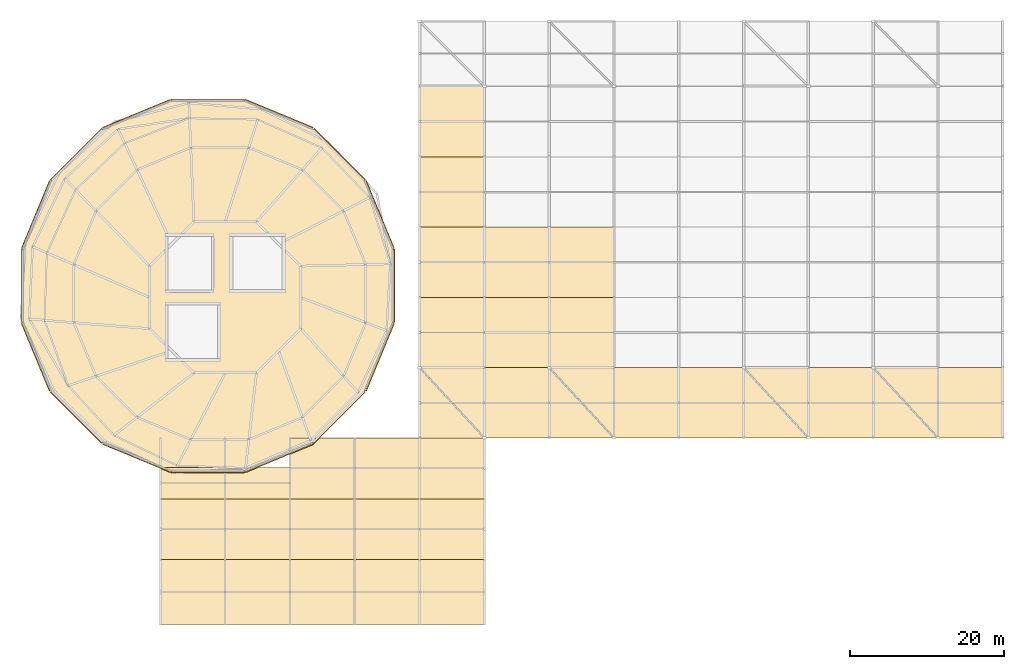
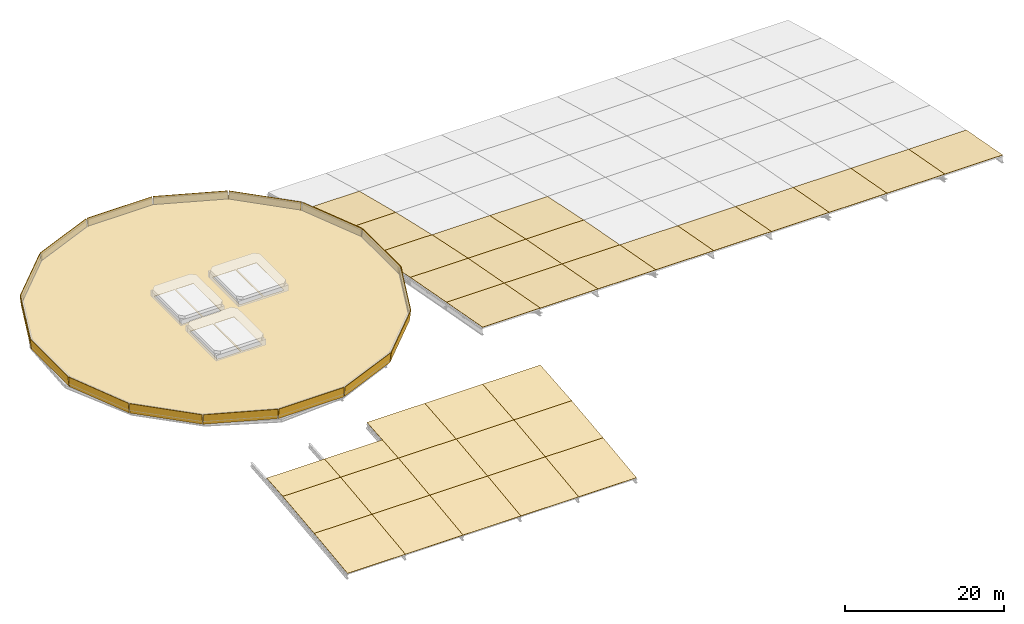
# One storey, part 11 of 12: 49 coverings, 15 elements without a shape of their own.
"""IFC4 building model written with IfcOpenShell, lengths in metres."""

from ifc_helpers import new_model, si_unit, derived_unit, direction, frame, origin, place, context, subcontext, project, spatial, polyline, outline, extrude, material, layer, layer_set, type_object, element, aggregate, save


model = new_model("IFC4")

# Units and contexts
model_context = context("Model", 3, precision=1e-05, world=origin(), true_north=direction((0.0, 1.0)))
body_context = subcontext(model_context, "Body", "Model", "MODEL_VIEW")
ifc_project = project(units=[si_unit("LENGTHUNIT", "METRE"), si_unit("AREAUNIT", "SQUARE_METRE"), si_unit("VOLUMEUNIT", "CUBIC_METRE"), si_unit("PLANEANGLEUNIT", "RADIAN"), si_unit("MASSUNIT", "GRAM", prefix="KILO"), derived_unit("THERMALTRANSMITTANCEUNIT", [(si_unit("MASSUNIT", "GRAM", prefix="KILO"), 1), (si_unit("TIMEUNIT", "SECOND"), -3), (si_unit("THERMODYNAMICTEMPERATUREUNIT", "KELVIN"), -1)])], contexts=[model_context])

# Site, building, storey
site_placement = place(None, origin())
site = spatial("IfcSite", under=ifc_project, at=site_placement, CompositionType="ELEMENT")
building_placement = place(site_placement, origin())
building = spatial("IfcBuilding", under=site, at=building_placement, Name="Makaiwela Harbour Ferry Terminal", CompositionType="ELEMENT")
storey_placement = place(building_placement, frame((0.0, 0.0, 25.5)))
storey = spatial("IfcBuildingStorey", under=building, at=storey_placement, Name="ROOF", CompositionType="ELEMENT", Elevation=25.5)

# Roof, covering
ifc_material_1 = material(Name="Standing-seam marine zinc roofing", Category="aluminium")
ifc_layer_1 = layer(ifc_material_1, 0.219970703125)
ifc_layer_set_1 = layer_set([ifc_layer_1], Name="Standing-seam marine zinc roofing")
roof_type_1 = type_object("IfcRoofType", Name="RF-FLAT-01", PredefinedType="FLAT_ROOF", material=ifc_layer_set_1)
roof_1_placement = place(storey_placement, origin())
roof_1 = element("IfcRoof", 1, at=roof_1_placement, inside=storey, type_object=roof_type_1, Name="Roof Assembly RF-01", PredefinedType="FLAT_ROOF")
ifc_layer_2 = layer(ifc_material_1, 0.044921875)
ifc_layer_set_2 = layer_set([ifc_layer_2], Name="Standing-seam marine zinc roofing")
covering_type_1 = type_object("IfcCoveringType", Name="COV-ROOF-ZINC", PredefinedType="ROOFING", material=ifc_layer_set_2)
covering_1_placement = place(storey_placement, origin())
covering_1 = element("IfcCovering", 2, at=covering_1_placement, type_object=covering_type_1, Name="Architectural Covering RFG-01", PredefinedType="ROOFING", context=body_context, shape_type="SweptSolid", body=[
    extrude(outline(polyline([(59.5302734375, 73.8701171875), (55.87939453125, 82.68359375), (49.1337890625, 89.429443359375), (40.320068359375, 93.080078125), (30.780029296875, 93.080078125), (21.96630859375, 89.429443359375), (15.220703125, 82.68359375), (11.56982421875, 73.8701171875), (11.56982421875, 64.330078125), (15.220703125, 55.516357421875), (21.96630859375, 48.7705078125), (30.780029296875, 45.119873046875), (40.320068359375, 45.119873046875), (49.1337890625, 48.7705078125), (55.87939453125, 55.516357421875), (59.5302734375, 64.330078125), (59.5302734375, 73.8701171875)]), holes=[polyline([(38.794921875, 68.594970703125), (38.794921875, 75.5048828125), (42.14208984375, 75.5048828125), (42.14208984375, 68.594970703125), (38.794921875, 68.594970703125)]), polyline([(42.35205078125, 68.594970703125), (42.35205078125, 75.5048828125), (45.205078125, 75.5048828125), (45.205078125, 68.594970703125), (42.35205078125, 68.594970703125)]), polyline([(30.3701171875, 59.669921875), (30.3701171875, 66.6298828125), (33.741943359375, 66.6298828125), (33.741943359375, 59.669921875), (30.3701171875, 59.669921875)]), polyline([(33.951904296875, 59.669921875), (33.951904296875, 66.6298828125), (36.830078125, 66.6298828125), (36.830078125, 59.669921875), (33.951904296875, 59.669921875)]), polyline([(30.35009765625, 68.550048828125), (30.35009765625, 75.550048828125), (33.31005859375, 75.550048828125), (33.31005859375, 68.550048828125), (30.35009765625, 68.550048828125)]), polyline([(33.52001953125, 68.550048828125), (33.52001953125, 75.550048828125), (36.050048828125, 75.550048828125), (36.050048828125, 68.550048828125), (33.52001953125, 68.550048828125)])]), origin(), (0.0, 0.0, 1.0), 0.044921875),
])
aggregate(roof_1, [covering_1])

# Roof, coverings
ifc_layer_3 = layer(ifc_material_1, 0.199951171875)
ifc_layer_set_3 = layer_set([ifc_layer_3], Name="Standing-seam marine zinc roofing")
roof_type_2 = type_object("IfcRoofType", Name="RF-BARREL-01", PredefinedType="BARREL_ROOF", material=ifc_layer_set_3)
roof_2_placement = place(storey_placement, origin())
roof_2 = element("IfcRoof", 3, at=roof_2_placement, inside=storey, type_object=roof_type_2, Name="Departure Hall Barrel Vault Bay 1", PredefinedType="BARREL_ROOF")
covering_2_placement = place(storey_placement, frame((63.0, 85.800048828125, -7.614990234375), z_axis=(0.0, 0.244527039471, 0.969642473785), x_axis=(1.0, 0.0, 0.0)))
covering_2 = element("IfcCovering", 4, at=covering_2_placement, type_object=covering_type_1, Name="Architectural Covering RFG-01", PredefinedType="ROOFING", context=body_context, shape_type="SweptSolid", body=[
    extrude(outline(polyline([(0.0, 0.0), (8.39990234375, 0.0), (8.39990234375, 9.48798286028475), (0.0, 9.48798286028475), (0.0, 0.0)])), origin(), (0.0, 0.0, -1.0), 0.044921875),
])
covering_3_placement = place(storey_placement, frame((63.0, 76.699951171875, -5.534912109375), z_axis=(0.0, 0.222830482699, 0.974857207995), x_axis=(1.0, 0.0, 0.0)))
covering_3 = element("IfcCovering", 5, at=covering_3_placement, type_object=covering_type_1, Name="Architectural Covering RFG-01", PredefinedType="ROOFING", context=body_context, shape_type="SweptSolid", body=[
    extrude(outline(polyline([(0.0, 0.0), (8.39990234375, 0.0), (8.39990234375, 9.334800606300611), (0.0, 9.334800606300611), (0.0, 0.0)])), origin(), (0.0, 0.0, -1.0), 0.044921875),
])
covering_4_placement = place(storey_placement, frame((63.0, 67.60009765625, -3.635009765625), z_axis=(0.0, 0.20437688656, 0.978892276116), x_axis=(1.0, 0.0, 0.0)))
covering_4 = element("IfcCovering", 6, at=covering_4_placement, type_object=covering_type_1, Name="Architectural Covering RFG-01", PredefinedType="ROOFING", context=body_context, shape_type="SweptSolid", body=[
    extrude(outline(polyline([(0.0, 0.0), (8.39990234375, 0.0), (8.39990234375, 9.296072446018234), (0.0, 9.296072446018234), (0.0, 0.0)])), origin(), (0.0, 0.0, -1.0), 0.044921875),
])
covering_5_placement = place(storey_placement, frame((63.0, 58.5, -1.93505859375), z_axis=(0.0, 0.183629289337, 0.982995566672), x_axis=(1.0, 0.0, 0.0)))
covering_5 = element("IfcCovering", 7, at=covering_5_placement, type_object=covering_type_1, Name="Architectural Covering RFG-01", PredefinedType="ROOFING", context=body_context, shape_type="SweptSolid", body=[
    extrude(outline(polyline([(0.0, 0.0), (8.39990234375, 0.0), (8.39990234375, 9.257516477978633), (0.0, 9.257516477978633), (0.0, 0.0)])), origin(), (0.0, 0.0, -1.0), 0.044921875),
])
covering_6_placement = place(storey_placement, frame((63.0, 49.39990234375, -0.2548828125), z_axis=(0.0, 0.181563964683, 0.983379136818), x_axis=(1.0, 0.0, 0.0)))
covering_6 = element("IfcCovering", 8, at=covering_6_placement, type_object=covering_type_1, Name="Architectural Covering RFG-01", PredefinedType="ROOFING", context=body_context, shape_type="SweptSolid", body=[
    extrude(outline(polyline([(0.0, 0.0), (8.39990234375, 0.0), (8.39990234375, 9.253905554369236), (0.0, 9.253905554369236), (0.0, 0.0)])), origin(), (0.0, 0.0, -1.0), 0.044921875),
])
aggregate(roof_2, [covering_2, covering_3, covering_4, covering_5, covering_6])

roof_3_placement = place(storey_placement, origin())
roof_3 = element("IfcRoof", 9, at=roof_3_placement, inside=storey, type_object=roof_type_2, Name="Departure Hall Barrel Vault Bay 2", PredefinedType="BARREL_ROOF")
covering_7_placement = place(storey_placement, frame((71.39990234375, 67.60009765625, -3.635009765625), z_axis=(0.0, 0.20437688656, 0.978892276116), x_axis=(1.0, 0.0, 0.0)))
covering_7 = element("IfcCovering", 10, at=covering_7_placement, type_object=covering_type_1, Name="Architectural Covering RFG-01", PredefinedType="ROOFING", context=body_context, shape_type="SweptSolid", body=[
    extrude(outline(polyline([(0.0, 0.0), (8.400146484375, 0.0), (8.400146484375, 9.296072446018233), (0.0, 9.296072446018233), (0.0, 0.0)])), origin(), (0.0, 0.0, -1.0), 0.044921875),
])
covering_8_placement = place(storey_placement, frame((71.39990234375, 58.5, -1.93505859375), z_axis=(0.0, 0.183629289337, 0.982995566672), x_axis=(1.0, 0.0, 0.0)))
covering_8 = element("IfcCovering", 11, at=covering_8_placement, type_object=covering_type_1, Name="Architectural Covering RFG-01", PredefinedType="ROOFING", context=body_context, shape_type="SweptSolid", body=[
    extrude(outline(polyline([(0.0, 0.0), (8.400146484375, 0.0), (8.400146484375, 9.257516477978635), (0.0, 9.257516477978635), (0.0, 0.0)])), origin(), (0.0, 0.0, -1.0), 0.044921875),
])
covering_9_placement = place(storey_placement, frame((71.39990234375, 49.39990234375, -0.2548828125), z_axis=(0.0, 0.181563964683, 0.983379136818), x_axis=(1.0, 0.0, 0.0)))
covering_9 = element("IfcCovering", 12, at=covering_9_placement, type_object=covering_type_1, Name="Architectural Covering RFG-01", PredefinedType="ROOFING", context=body_context, shape_type="SweptSolid", body=[
    extrude(outline(polyline([(0.0, 0.0), (8.400146484375, 0.0), (8.400146484375, 9.253905554369236), (0.0, 9.253905554369236), (0.0, 0.0)])), origin(), (0.0, 0.0, -1.0), 0.044921875),
])
aggregate(roof_3, [covering_7, covering_8, covering_9])

roof_4_placement = place(storey_placement, origin())
roof_4 = element("IfcRoof", 13, at=roof_4_placement, inside=storey, type_object=roof_type_2, Name="Departure Hall Barrel Vault Bay 3", PredefinedType="BARREL_ROOF")
covering_10_placement = place(storey_placement, frame((79.800048828125, 67.60009765625, -3.635009765625), z_axis=(0.0, 0.20437688656, 0.978892276116), x_axis=(1.0, 0.0, 0.0)))
covering_10 = element("IfcCovering", 14, at=covering_10_placement, type_object=covering_type_1, Name="Architectural Covering RFG-01", PredefinedType="ROOFING", context=body_context, shape_type="SweptSolid", body=[
    extrude(outline(polyline([(0.0, 0.0), (8.39990234375, 0.0), (8.39990234375, 9.296072446018234), (0.0, 9.296072446018234), (0.0, 0.0)])), origin(), (0.0, 0.0, -1.0), 0.044921875),
])
covering_11_placement = place(storey_placement, frame((79.800048828125, 58.5, -1.93505859375), z_axis=(0.0, 0.183629289337, 0.982995566672), x_axis=(1.0, 0.0, 0.0)))
covering_11 = element("IfcCovering", 15, at=covering_11_placement, type_object=covering_type_1, Name="Architectural Covering RFG-01", PredefinedType="ROOFING", context=body_context, shape_type="SweptSolid", body=[
    extrude(outline(polyline([(0.0, 0.0), (8.39990234375, 0.0), (8.39990234375, 9.257516477978633), (0.0, 9.257516477978633), (0.0, 0.0)])), origin(), (0.0, 0.0, -1.0), 0.044921875),
])
covering_12_placement = place(storey_placement, frame((79.800048828125, 49.39990234375, -0.2548828125), z_axis=(0.0, 0.181563964683, 0.983379136818), x_axis=(1.0, 0.0, 0.0)))
covering_12 = element("IfcCovering", 16, at=covering_12_placement, type_object=covering_type_1, Name="Architectural Covering RFG-01", PredefinedType="ROOFING", context=body_context, shape_type="SweptSolid", body=[
    extrude(outline(polyline([(0.0, 0.0), (8.39990234375, 0.0), (8.39990234375, 9.253905554369236), (0.0, 9.253905554369236), (0.0, 0.0)])), origin(), (0.0, 0.0, -1.0), 0.044921875),
])
aggregate(roof_4, [covering_10, covering_11, covering_12])

# Roof, covering
roof_5_placement = place(storey_placement, origin())
roof_5 = element("IfcRoof", 17, at=roof_5_placement, inside=storey, type_object=roof_type_2, Name="Departure Hall Barrel Vault Bay 4", PredefinedType="BARREL_ROOF")
covering_13_placement = place(storey_placement, frame((88.199951171875, 49.39990234375, -0.2548828125), z_axis=(0.0, 0.181563964683, 0.983379136818), x_axis=(1.0, 0.0, 0.0)))
covering_13 = element("IfcCovering", 18, at=covering_13_placement, type_object=covering_type_1, Name="Architectural Covering RFG-01", PredefinedType="ROOFING", context=body_context, shape_type="SweptSolid", body=[
    extrude(outline(polyline([(0.0, 0.0), (8.400146484375, 0.0), (8.400146484375, 9.253905554369236), (0.0, 9.253905554369236), (0.0, 0.0)])), origin(), (0.0, 0.0, -1.0), 0.044921875),
])
aggregate(roof_5, [covering_13])

roof_6_placement = place(storey_placement, origin())
roof_6 = element("IfcRoof", 19, at=roof_6_placement, inside=storey, type_object=roof_type_2, Name="Departure Hall Barrel Vault Bay 5", PredefinedType="BARREL_ROOF")
covering_14_placement = place(storey_placement, frame((96.60009765625, 49.39990234375, -0.2548828125), z_axis=(0.0, 0.181563964683, 0.983379136818), x_axis=(1.0, 0.0, 0.0)))
covering_14 = element("IfcCovering", 20, at=covering_14_placement, type_object=covering_type_1, Name="Architectural Covering RFG-01", PredefinedType="ROOFING", context=body_context, shape_type="SweptSolid", body=[
    extrude(outline(polyline([(0.0, 0.0), (8.39990234375, 0.0), (8.39990234375, 9.253905554369236), (0.0, 9.253905554369236), (0.0, 0.0)])), origin(), (0.0, 0.0, -1.0), 0.044921875),
])
aggregate(roof_6, [covering_14])

roof_7_placement = place(storey_placement, origin())
roof_7 = element("IfcRoof", 21, at=roof_7_placement, inside=storey, type_object=roof_type_2, Name="Departure Hall Barrel Vault Bay 6", PredefinedType="BARREL_ROOF")
covering_15_placement = place(storey_placement, frame((105.0, 49.39990234375, -0.2548828125), z_axis=(0.0, 0.181563964683, 0.983379136818), x_axis=(1.0, 0.0, 0.0)))
covering_15 = element("IfcCovering", 22, at=covering_15_placement, type_object=covering_type_1, Name="Architectural Covering RFG-01", PredefinedType="ROOFING", context=body_context, shape_type="SweptSolid", body=[
    extrude(outline(polyline([(0.0, 0.0), (8.39990234375, 0.0), (8.39990234375, 9.253905554369236), (0.0, 9.253905554369236), (0.0, 0.0)])), origin(), (0.0, 0.0, -1.0), 0.044921875),
])
aggregate(roof_7, [covering_15])

roof_8_placement = place(storey_placement, origin())
roof_8 = element("IfcRoof", 23, at=roof_8_placement, inside=storey, type_object=roof_type_2, Name="Departure Hall Barrel Vault Bay 7", PredefinedType="BARREL_ROOF")
covering_16_placement = place(storey_placement, frame((113.39990234375, 49.39990234375, -0.2548828125), z_axis=(0.0, 0.181563964683, 0.983379136818), x_axis=(1.0, 0.0, 0.0)))
covering_16 = element("IfcCovering", 24, at=covering_16_placement, type_object=covering_type_1, Name="Architectural Covering RFG-01", PredefinedType="ROOFING", context=body_context, shape_type="SweptSolid", body=[
    extrude(outline(polyline([(0.0, 0.0), (8.400146484375, 0.0), (8.400146484375, 9.253905554369236), (0.0, 9.253905554369236), (0.0, 0.0)])), origin(), (0.0, 0.0, -1.0), 0.044921875),
])
aggregate(roof_8, [covering_16])

roof_9_placement = place(storey_placement, origin())
roof_9 = element("IfcRoof", 25, at=roof_9_placement, inside=storey, type_object=roof_type_2, Name="Departure Hall Barrel Vault Bay 8", PredefinedType="BARREL_ROOF")
covering_17_placement = place(storey_placement, frame((121.800048828125, 49.39990234375, -0.2548828125), z_axis=(0.0, 0.181563964683, 0.983379136818), x_axis=(1.0, 0.0, 0.0)))
covering_17 = element("IfcCovering", 26, at=covering_17_placement, type_object=covering_type_1, Name="Architectural Covering RFG-01", PredefinedType="ROOFING", context=body_context, shape_type="SweptSolid", body=[
    extrude(outline(polyline([(0.0, 0.0), (8.39990234375, 0.0), (8.39990234375, 9.253905554369236), (0.0, 9.253905554369236), (0.0, 0.0)])), origin(), (0.0, 0.0, -1.0), 0.044921875),
])
aggregate(roof_9, [covering_17])

roof_10_placement = place(storey_placement, origin())
roof_10 = element("IfcRoof", 27, at=roof_10_placement, inside=storey, type_object=roof_type_2, Name="Departure Hall Barrel Vault Bay 9", PredefinedType="BARREL_ROOF")
covering_18_placement = place(storey_placement, frame((130.199951171875, 49.39990234375, -0.2548828125), z_axis=(0.0, 0.181563964683, 0.983379136818), x_axis=(1.0, 0.0, 0.0)))
covering_18 = element("IfcCovering", 28, at=covering_18_placement, type_object=covering_type_1, Name="Architectural Covering RFG-01", PredefinedType="ROOFING", context=body_context, shape_type="SweptSolid", body=[
    extrude(outline(polyline([(0.0, 0.0), (8.400146484375, 0.0), (8.400146484375, 9.253905554369236), (0.0, 9.253905554369236), (0.0, 0.0)])), origin(), (0.0, 0.0, -1.0), 0.044921875),
])
aggregate(roof_10, [covering_18])

# Roof, coverings
roof_11_placement = place(storey_placement, origin())
roof_11 = element("IfcRoof", 29, at=roof_11_placement, inside=storey, type_object=roof_type_2, Name="Arrivals Hall Barrel Vault Bay 1", PredefinedType="BARREL_ROOF")
covering_19_placement = place(storey_placement, frame((29.39990234375, 25.199951171875, -11.655029296875), z_axis=(0.0, -0.124038284054, 0.992277433024), x_axis=(1.0, 0.0, 0.0)))
covering_19 = element("IfcCovering", 30, at=covering_19_placement, type_object=covering_type_1, Name="Architectural Covering RFG-01", PredefinedType="ROOFING", context=body_context, shape_type="SweptSolid", body=[
    extrude(outline(polyline([(0.0, 0.0), (8.400146484375, 0.0), (8.400146484375, 8.46552204535576), (0.0, 8.46552204535576), (0.0, 0.0)])), origin(), (0.0, 0.0, -1.0), 0.044921875),
])
covering_20_placement = place(storey_placement, frame((29.39990234375, 33.60009765625, -10.60498046875), z_axis=(0.0, -0.113181133936, 0.993574371107), x_axis=(1.0, 0.0, 0.0)))
covering_20 = element("IfcCovering", 31, at=covering_20_placement, type_object=covering_type_1, Name="Architectural Covering RFG-01", PredefinedType="ROOFING", context=body_context, shape_type="SweptSolid", body=[
    extrude(outline(polyline([(0.0, 0.0), (8.400146484375, 0.0), (8.400146484375, 7.950992470696567), (0.0, 7.950992470696567), (0.0, 0.0)])), origin(), (0.0, 0.0, -1.0), 0.044921875),
])
covering_21_placement = place(storey_placement, frame((29.39990234375, 41.5, -9.705078125), z_axis=(0.0, -0.088267066275, 0.996096845197), x_axis=(1.0, 0.0, 0.0)))
covering_21 = element("IfcCovering", 32, at=covering_21_placement, type_object=covering_type_1, Name="Architectural Covering RFG-01", PredefinedType="ROOFING", context=body_context, shape_type="SweptSolid", body=[
    extrude(outline(polyline([(0.0, 0.0), (8.400146484375, 0.0), (8.400146484375, 4.065918738377813), (0.0, 4.065918738377813), (0.0, 0.0)])), origin(), (0.0, 0.0, -1.0), 0.044921875),
])
aggregate(roof_11, [covering_19, covering_20, covering_21])

roof_12_placement = place(storey_placement, origin())
roof_12 = element("IfcRoof", 33, at=roof_12_placement, inside=storey, type_object=roof_type_2, Name="Arrivals Hall Barrel Vault Bay 2", PredefinedType="BARREL_ROOF")
covering_22_placement = place(storey_placement, frame((37.800048828125, 25.199951171875, -11.655029296875), z_axis=(0.0, -0.124038284054, 0.992277433024), x_axis=(1.0, 0.0, 0.0)))
covering_22 = element("IfcCovering", 34, at=covering_22_placement, type_object=covering_type_1, Name="Architectural Covering RFG-01", PredefinedType="ROOFING", context=body_context, shape_type="SweptSolid", body=[
    extrude(outline(polyline([(0.0, 0.0), (8.39990234375, 0.0), (8.39990234375, 8.46552204535576), (0.0, 8.46552204535576), (0.0, 0.0)])), origin(), (0.0, 0.0, -1.0), 0.044921875),
])
covering_23_placement = place(storey_placement, frame((37.800048828125, 33.60009765625, -10.60498046875), z_axis=(0.0, -0.113181133936, 0.993574371107), x_axis=(1.0, 0.0, 0.0)))
covering_23 = element("IfcCovering", 35, at=covering_23_placement, type_object=covering_type_1, Name="Architectural Covering RFG-01", PredefinedType="ROOFING", context=body_context, shape_type="SweptSolid", body=[
    extrude(outline(polyline([(0.0, 0.0), (8.39990234375, 0.0), (8.39990234375, 7.9509924706965664), (0.0, 7.9509924706965664), (0.0, 0.0)])), origin(), (0.0, 0.0, -1.0), 0.044921875),
])
covering_24_placement = place(storey_placement, frame((37.800048828125, 41.5, -9.705078125), z_axis=(0.0, -0.088267066275, 0.996096845197), x_axis=(1.0, 0.0, 0.0)))
covering_24 = element("IfcCovering", 36, at=covering_24_placement, type_object=covering_type_1, Name="Architectural Covering RFG-01", PredefinedType="ROOFING", context=body_context, shape_type="SweptSolid", body=[
    extrude(outline(polyline([(0.0, 0.0), (8.39990234375, 0.0), (8.39990234375, 4.065918738377814), (0.0, 4.065918738377814), (0.0, 0.0)])), origin(), (0.0, 0.0, -1.0), 0.044921875),
])
aggregate(roof_12, [covering_22, covering_23, covering_24])

roof_13_placement = place(storey_placement, origin())
roof_13 = element("IfcRoof", 37, at=roof_13_placement, inside=storey, type_object=roof_type_2, Name="Arrivals Hall Barrel Vault Bay 3", PredefinedType="BARREL_ROOF")
covering_25_placement = place(storey_placement, frame((46.199951171875, 25.199951171875, -11.655029296875), z_axis=(0.0, -0.124038284054, 0.992277433024), x_axis=(1.0, 0.0, 0.0)))
covering_25 = element("IfcCovering", 38, at=covering_25_placement, type_object=covering_type_1, Name="Architectural Covering RFG-01", PredefinedType="ROOFING", context=body_context, shape_type="SweptSolid", body=[
    extrude(outline(polyline([(0.0, 0.0), (8.400146484375, 0.0), (8.400146484375, 8.46552204535576), (0.0, 8.46552204535576), (0.0, 0.0)])), origin(), (0.0, 0.0, -1.0), 0.044921875),
])
covering_26_placement = place(storey_placement, frame((46.199951171875, 33.60009765625, -10.60498046875), z_axis=(0.0, -0.113181133936, 0.993574371107), x_axis=(1.0, 0.0, 0.0)))
covering_26 = element("IfcCovering", 39, at=covering_26_placement, type_object=covering_type_1, Name="Architectural Covering RFG-01", PredefinedType="ROOFING", context=body_context, shape_type="SweptSolid", body=[
    extrude(outline(polyline([(0.0, 0.0), (8.400146484375, 0.0), (8.400146484375, 7.950992470696567), (0.0, 7.950992470696567), (0.0, 0.0)])), origin(), (0.0, 0.0, -1.0), 0.044921875),
])
covering_27_placement = place(storey_placement, frame((46.199951171875, 41.5, -9.705078125), z_axis=(0.0, -0.088287304777, 0.996095051597), x_axis=(1.0, 0.0, 0.0)))
covering_27 = element("IfcCovering", 40, at=covering_27_placement, type_object=covering_type_1, Name="Architectural Covering RFG-01", PredefinedType="ROOFING", context=body_context, shape_type="SweptSolid", body=[
    extrude(outline(polyline([(0.0, 0.0), (8.400146484375, 0.0), (8.400146484375, 7.930871989663792), (0.0, 7.930871989663792), (0.0, 0.0)])), origin(), (0.0, 0.0, -1.0), 0.044921875),
])
aggregate(roof_13, [covering_25, covering_26, covering_27])

roof_14_placement = place(storey_placement, origin())
roof_14 = element("IfcRoof", 41, at=roof_14_placement, inside=storey, type_object=roof_type_2, Name="Arrivals Hall Barrel Vault Bay 4", PredefinedType="BARREL_ROOF")
covering_28_placement = place(storey_placement, frame((54.60009765625, 25.199951171875, -11.655029296875), z_axis=(0.0, -0.124038284054, 0.992277433024), x_axis=(1.0, 0.0, 0.0)))
covering_28 = element("IfcCovering", 42, at=covering_28_placement, type_object=covering_type_1, Name="Architectural Covering RFG-01", PredefinedType="ROOFING", context=body_context, shape_type="SweptSolid", body=[
    extrude(outline(polyline([(0.0, 0.0), (8.39990234375, 0.0), (8.39990234375, 8.46552204535576), (0.0, 8.46552204535576), (0.0, 0.0)])), origin(), (0.0, 0.0, -1.0), 0.044921875),
])
covering_29_placement = place(storey_placement, frame((54.60009765625, 33.60009765625, -10.60498046875), z_axis=(0.0, -0.113181133936, 0.993574371107), x_axis=(1.0, 0.0, 0.0)))
covering_29 = element("IfcCovering", 43, at=covering_29_placement, type_object=covering_type_1, Name="Architectural Covering RFG-01", PredefinedType="ROOFING", context=body_context, shape_type="SweptSolid", body=[
    extrude(outline(polyline([(0.0, 0.0), (8.39990234375, 0.0), (8.39990234375, 7.9509924706965664), (0.0, 7.9509924706965664), (0.0, 0.0)])), origin(), (0.0, 0.0, -1.0), 0.044921875),
])
covering_30_placement = place(storey_placement, frame((54.60009765625, 41.5, -9.705078125), z_axis=(0.0, -0.088287304777, 0.996095051597), x_axis=(1.0, 0.0, 0.0)))
covering_30 = element("IfcCovering", 44, at=covering_30_placement, type_object=covering_type_1, Name="Architectural Covering RFG-01", PredefinedType="ROOFING", context=body_context, shape_type="SweptSolid", body=[
    extrude(outline(polyline([(0.0, 0.0), (8.39990234375, 0.0), (8.39990234375, 7.930871989663792), (0.0, 7.930871989663792), (0.0, 0.0)])), origin(), (0.0, 0.0, -1.0), 0.044921875),
])
aggregate(roof_14, [covering_28, covering_29, covering_30])

roof_15_placement = place(storey_placement, origin())
roof_15 = element("IfcRoof", 45, at=roof_15_placement, inside=storey, type_object=roof_type_2, Name="Arrivals Hall Barrel Vault Bay 5", PredefinedType="BARREL_ROOF")
covering_31_placement = place(storey_placement, frame((63.0, 25.199951171875, -11.655029296875), z_axis=(0.0, -0.124038284054, 0.992277433024), x_axis=(1.0, 0.0, 0.0)))
covering_31 = element("IfcCovering", 46, at=covering_31_placement, type_object=covering_type_1, Name="Architectural Covering RFG-01", PredefinedType="ROOFING", context=body_context, shape_type="SweptSolid", body=[
    extrude(outline(polyline([(0.0, 0.0), (8.39990234375, 0.0), (8.39990234375, 8.46552204535576), (0.0, 8.46552204535576), (0.0, 0.0)])), origin(), (0.0, 0.0, -1.0), 0.044921875),
])
covering_32_placement = place(storey_placement, frame((63.0, 33.60009765625, -10.60498046875), z_axis=(0.0, -0.113181133936, 0.993574371107), x_axis=(1.0, 0.0, 0.0)))
covering_32 = element("IfcCovering", 47, at=covering_32_placement, type_object=covering_type_1, Name="Architectural Covering RFG-01", PredefinedType="ROOFING", context=body_context, shape_type="SweptSolid", body=[
    extrude(outline(polyline([(0.0, 0.0), (8.39990234375, 0.0), (8.39990234375, 7.9509924706965664), (0.0, 7.9509924706965664), (0.0, 0.0)])), origin(), (0.0, 0.0, -1.0), 0.044921875),
])
covering_33_placement = place(storey_placement, frame((63.0, 41.5, -9.705078125), z_axis=(0.0, -0.088287304777, 0.996095051597), x_axis=(1.0, 0.0, 0.0)))
covering_33 = element("IfcCovering", 48, at=covering_33_placement, type_object=covering_type_1, Name="Architectural Covering RFG-01", PredefinedType="ROOFING", context=body_context, shape_type="SweptSolid", body=[
    extrude(outline(polyline([(0.0, 0.0), (8.39990234375, 0.0), (8.39990234375, 7.930871989663792), (0.0, 7.930871989663792), (0.0, 0.0)])), origin(), (0.0, 0.0, -1.0), 0.044921875),
])
aggregate(roof_15, [covering_31, covering_32, covering_33])

# Coverings
ifc_material_2 = material(Name="White glazed marine ceramic rainscreen tile", Category="masonry")
ifc_layer_4 = layer(ifc_material_2, 0.054931640625)
ifc_layer_set_4 = layer_set([ifc_layer_4], Name="White glazed marine ceramic rainscreen tile")
covering_type_2 = type_object("IfcCoveringType", Name="ENV-CLD-CERAMIC", PredefinedType="CLADDING", material=ifc_layer_set_4)
covering_34_placement = place(storey_placement, frame((59.512939453125, 73.90625, -0.39990234375), z_axis=(-0.918351708209, -0.380393293741, 0.109229492844), x_axis=(-0.382683055547, 0.923879688594, 0.0)))
element("IfcCovering", 49, at=covering_34_placement, inside=storey, type_object=covering_type_2, Name="Ceramic Spandrel Facet CLD-0159", PredefinedType="CLADDING", context=body_context, shape_type="SweptSolid", body=[
    extrude(outline(polyline([(0.0, 0.0), (9.459831406238237, 0.0), (9.459800280213624, -1.589343730150616), (-3.112602461353281e-05, -1.589343730150616), (0.0, 0.0)])), origin(), (0.0, 0.0, -1.0), 0.054931640625),
])
covering_35_placement = place(storey_placement, frame((55.849609375, 82.710693359375, -0.39990234375), z_axis=(-0.702880994393, -0.702880994393, 0.109163251331), x_axis=(-0.707106781187, 0.707106781187, 0.0)))
element("IfcCovering", 50, at=covering_35_placement, inside=storey, type_object=covering_type_2, Name="Ceramic Spandrel Facet CLD-0160", PredefinedType="CLADDING", context=body_context, shape_type="SweptSolid", body=[
    extrude(outline(polyline([(0.0, 0.0), (9.459624800268081, 0.0), (9.459797433759583, -1.5893320952072347), (-0.00017263349150062335, -1.589332095207235), (0.0, 0.0)])), origin(), (0.0, 0.0, -1.0), 0.054931640625),
])
covering_36_placement = place(storey_placement, frame((49.095947265625, 89.44287109375, -0.39990234375), z_axis=(-0.380393293741, -0.918351708209, 0.109229492844), x_axis=(-0.923879688594, 0.382683055547, 0.0)))
element("IfcCovering", 51, at=covering_36_placement, inside=storey, type_object=covering_type_2, Name="Ceramic Spandrel Facet CLD-0161", PredefinedType="CLADDING", context=body_context, shape_type="SweptSolid", body=[
    extrude(outline(polyline([(0.0, 0.0), (9.459831406238237, 0.0), (9.45986253226285, -1.589343730150616), (3.112602461353281e-05, -1.589343730150616), (0.0, 0.0)])), origin(), (0.0, 0.0, -1.0), 0.054931640625),
])
covering_37_placement = place(storey_placement, frame((40.280029296875, 93.078125, -0.39990234375), z_axis=(0.0, -0.994017871458, 0.109217540814), x_axis=(-1.0, 0.0, 0.0)))
element("IfcCovering", 52, at=covering_37_placement, inside=storey, type_object=covering_type_2, Name="Ceramic Spandrel Facet CLD-0162", PredefinedType="CLADDING", context=body_context, shape_type="SweptSolid", body=[
    extrude(outline(polyline([(0.0, 0.0), (9.4599609375, 0.0), (9.4599609375, -1.589341630304098), (0.0, -1.589341630304098), (0.0, 0.0)])), origin(), (0.0, 0.0, -1.0), 0.054931640625),
])
covering_38_placement = place(storey_placement, frame((30.743896484375, 93.06298828125, -0.39990234375), z_axis=(0.38038422398, -0.918355464948, 0.109229493029), x_axis=(-0.923883467966, -0.382673931199, 0.0)))
element("IfcCovering", 53, at=covering_38_placement, inside=storey, type_object=covering_type_2, Name="Ceramic Spandrel Facet CLD-0163", PredefinedType="CLADDING", context=body_context, shape_type="SweptSolid", body=[
    extrude(outline(polyline([(0.0, 0.0), (9.46005696326419, -5.551115123125783e-17), (9.460027551762453, -1.589343730183269), (-2.9411501737461457e-05, -1.5893437301832687), (0.0, 0.0)])), origin(), (0.0, 0.0, -1.0), 0.054931640625),
])
covering_39_placement = place(storey_placement, frame((21.939453125, 89.399658203125, -0.39990234375), z_axis=(0.702870412855, -0.70288323966, 0.109216913243), x_axis=(-0.707113310118, -0.707100252195, 9.90607e-07)))
element("IfcCovering", 54, at=covering_39_placement, inside=storey, type_object=covering_type_2, Name="Ceramic Spandrel Facet CLD-0164", PredefinedType="CLADDING", context=body_context, shape_type="SweptSolid", body=[
    extrude(outline(polyline([(0.0, 0.0), (9.45979743494568, -1.1102230246251565e-16), (9.459973235386139, -1.589332092544068), (3.1685429509641814e-06, -1.5893509473852085), (0.0, 0.0)])), origin(), (0.0, 0.0, -1.0), 0.054931640625),
])
covering_40_placement = place(storey_placement, frame((15.20703125, 82.64599609375, -0.39990234375), z_axis=(0.918354288893, -0.380407189587, 0.109159379729), x_axis=(-0.382693938538, -0.923875180641, -1.293594e-06)))
element("IfcCovering", 55, at=covering_40_placement, inside=storey, type_object=covering_type_2, Name="Ceramic Spandrel Facet CLD-0165", PredefinedType="CLADDING", context=body_context, shape_type="SweptSolid", body=[
    extrude(outline(polyline([(0.0, 0.0), (9.459831405573993, 5.551115123125783e-17), (9.459862532927097, -1.5893437261969892), (-6.230378423580085e-05, -1.5893191045823023), (0.0, 0.0)])), origin(), (0.0, 0.0, -1.0), 0.054931640625),
])
covering_41_placement = place(storey_placement, frame((11.57177734375, 73.830078125, -0.39990234375), z_axis=(0.994017871458, 0.0, 0.109217540814), x_axis=(0.0, -1.0, 0.0)))
element("IfcCovering", 56, at=covering_41_placement, inside=storey, type_object=covering_type_2, Name="Ceramic Spandrel Facet CLD-0166", PredefinedType="CLADDING", context=body_context, shape_type="SweptSolid", body=[
    extrude(outline(polyline([(0.0, 0.0), (9.4599609375, 0.0), (9.4599609375, -1.589341630304098), (0.0, -1.589341630304098), (0.0, 0.0)])), origin(), (0.0, 0.0, -1.0), 0.054931640625),
])
covering_42_placement = place(storey_placement, frame((11.5869140625, 64.293701171875, -0.39990234375), z_axis=(0.918354288893, 0.380407189587, 0.109159379729), x_axis=(0.382693938538, -0.923875180641, 1.293594e-06)))
element("IfcCovering", 57, at=covering_42_placement, inside=storey, type_object=covering_type_2, Name="Ceramic Spandrel Facet CLD-0167", PredefinedType="CLADDING", context=body_context, shape_type="SweptSolid", body=[
    extrude(outline(polyline([(0.0, 0.0), (9.459831405573993, -5.551115123125783e-17), (9.45989370935823, -1.589319104582302), (-3.112735310248371e-05, -1.5893437261969892), (0.0, 0.0)])), origin(), (0.0, 0.0, -1.0), 0.054931640625),
])
covering_43_placement = place(storey_placement, frame((15.250244140625, 55.489501953125, -0.39990234375), z_axis=(0.702872656104, 0.702872656104, 0.109270575188), x_axis=(0.707106781187, -0.707106781187, 0.0)))
element("IfcCovering", 58, at=covering_43_placement, inside=storey, type_object=covering_type_2, Name="Ceramic Spandrel Facet CLD-0168", PredefinedType="CLADDING", context=body_context, shape_type="SweptSolid", body=[
    extrude(outline(polyline([(0.0, 0.0), (9.459970067251083, 0.0), (9.459970067251083, -1.5893509497043572), (0.0, -1.5893509497043572), (0.0, 0.0)])), origin(), (0.0, 0.0, -1.0), 0.054931640625),
])
covering_44_placement = place(storey_placement, frame((22.00390625, 48.757080078125, -0.39990234375), z_axis=(0.38038422398, 0.918355464948, 0.109229493029), x_axis=(0.923883467966, -0.382673931199, 0.0)))
element("IfcCovering", 59, at=covering_44_placement, inside=storey, type_object=covering_type_2, Name="Ceramic Spandrel Facet CLD-0169", PredefinedType="CLADDING", context=body_context, shape_type="SweptSolid", body=[
    extrude(outline(polyline([(0.0, 0.0), (9.46005696326419, 5.551115123125783e-17), (9.460086374765927, -1.5893437301832687), (2.9411501737461457e-05, -1.5893437301832687), (0.0, 0.0)])), origin(), (0.0, 0.0, -1.0), 0.054931640625),
])
covering_45_placement = place(storey_placement, frame((30.820068359375, 45.121826171875, -0.39990234375), z_axis=(0.0, 0.994017871458, 0.109217540814), x_axis=(1.0, 0.0, 0.0)))
element("IfcCovering", 60, at=covering_45_placement, inside=storey, type_object=covering_type_2, Name="Ceramic Spandrel Facet CLD-0170", PredefinedType="CLADDING", context=body_context, shape_type="SweptSolid", body=[
    extrude(outline(polyline([(0.0, 0.0), (9.4599609375, 0.0), (9.4599609375, -1.589341630304098), (0.0, -1.589341630304098), (0.0, 0.0)])), origin(), (0.0, 0.0, -1.0), 0.054931640625),
])
covering_46_placement = place(storey_placement, frame((40.356201171875, 45.136962890625, -0.39990234375), z_axis=(-0.380393293741, 0.918351708209, 0.109229492844), x_axis=(0.923879688594, 0.382683055547, 0.0)))
element("IfcCovering", 61, at=covering_46_placement, inside=storey, type_object=covering_type_2, Name="Ceramic Spandrel Facet CLD-0171", PredefinedType="CLADDING", context=body_context, shape_type="SweptSolid", body=[
    extrude(outline(polyline([(0.0, 0.0), (9.459831406238237, 0.0), (9.459800280213624, -1.589343730150616), (-3.112602461353281e-05, -1.589343730150616), (0.0, 0.0)])), origin(), (0.0, 0.0, -1.0), 0.054931640625),
])
covering_47_placement = place(storey_placement, frame((49.16064453125, 48.80029296875, -0.39990234375), z_axis=(-0.70288323966, 0.702870412855, 0.109216913243), x_axis=(0.707100252195, 0.707113310118, -9.90607e-07)))
element("IfcCovering", 62, at=covering_47_placement, inside=storey, type_object=covering_type_2, Name="Ceramic Spandrel Facet CLD-0172", PredefinedType="CLADDING", context=body_context, shape_type="SweptSolid", body=[
    extrude(outline(polyline([(0.0, 0.0), (9.45979743494568, 1.1102230246251565e-16), (9.459794266402728, -1.5893509473852085), (-0.00017580044045939928, -1.589332092544068), (0.0, 0.0)])), origin(), (0.0, 0.0, -1.0), 0.054931640625),
])
covering_48_placement = place(storey_placement, frame((55.892822265625, 55.553955078125, -0.39990234375), z_axis=(-0.918351708209, 0.380393293741, 0.109229492844), x_axis=(0.382683055547, 0.923879688594, 0.0)))
element("IfcCovering", 63, at=covering_48_placement, inside=storey, type_object=covering_type_2, Name="Ceramic Spandrel Facet CLD-0173", PredefinedType="CLADDING", context=body_context, shape_type="SweptSolid", body=[
    extrude(outline(polyline([(0.0, 0.0), (9.459831406238237, 0.0), (9.45986253226285, -1.589343730150616), (3.112602461353281e-05, -1.589343730150616), (0.0, 0.0)])), origin(), (0.0, 0.0, -1.0), 0.054931640625),
])
covering_49_placement = place(storey_placement, frame((59.5283203125, 64.3701171875, -0.39990234375), z_axis=(-0.994017871458, 0.0, 0.109217540814), x_axis=(0.0, 1.0, 0.0)))
element("IfcCovering", 64, at=covering_49_placement, inside=storey, type_object=covering_type_2, Name="Ceramic Spandrel Facet CLD-0174", PredefinedType="CLADDING", context=body_context, shape_type="SweptSolid", body=[
    extrude(outline(polyline([(0.0, 0.0), (9.4599609375, 0.0), (9.4599609375, -1.589341630304098), (0.0, -1.589341630304098), (0.0, 0.0)])), origin(), (0.0, 0.0, -1.0), 0.054931640625),
])

save(model, "model.ifc")
